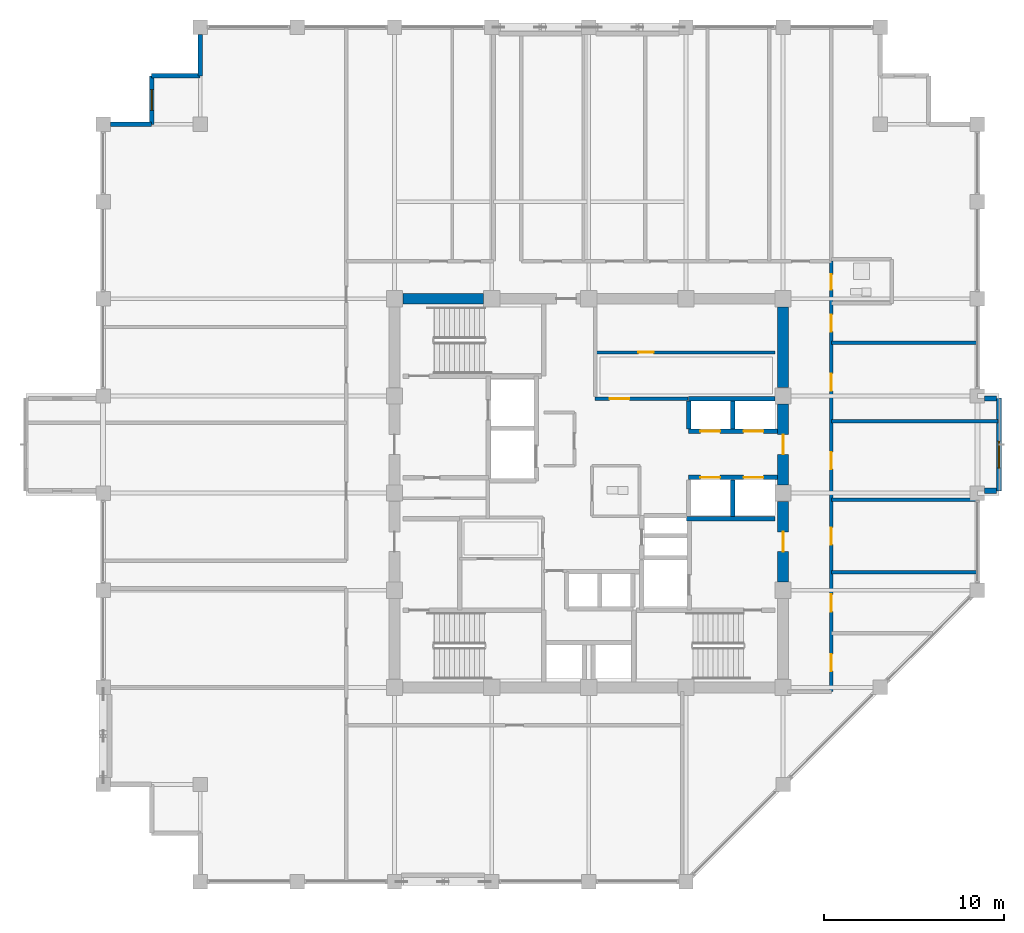
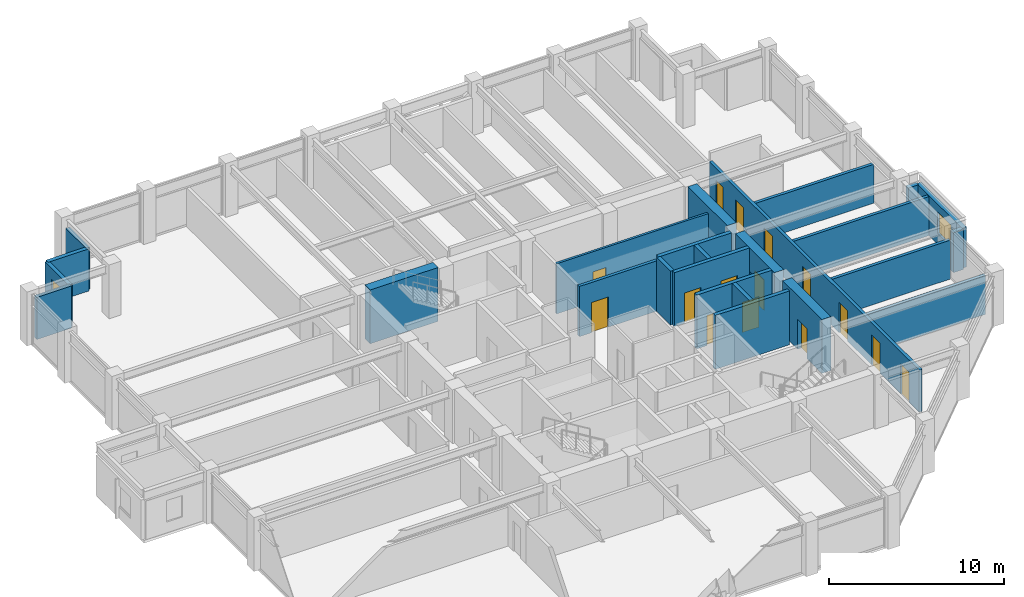
# One storey, part 24 of 28: 25 walls, 15 doors, 2 windows, 17 openings.
"""IFC4 building model written with IfcOpenShell, lengths in metres."""

from ifc_helpers import new_model, si_unit, direction, frame, frame_2d, origin, place, context, subcontext, project, spatial, rectangle, extrude, material, layer, layer_set, type_object, element, fill, save


model = new_model("IFC4")

# Units and contexts
model_context = context("Model", 3, precision=1e-05, world=origin(), true_north=direction((0.0, 1.0)))
body_context = subcontext(model_context, "Body", "Model", "MODEL_VIEW")
ifc_project = project(units=[si_unit("LENGTHUNIT", "METRE"), si_unit("AREAUNIT", "SQUARE_METRE"), si_unit("VOLUMEUNIT", "CUBIC_METRE"), si_unit("PLANEANGLEUNIT", "RADIAN"), si_unit("MASSUNIT", "GRAM", prefix="KILO")], contexts=[model_context])

# Site, building, storey
site_placement = place(None, origin())
site = spatial("IfcSite", under=ifc_project, at=site_placement, CompositionType="ELEMENT")
building_placement = place(site_placement, origin())
building = spatial("IfcBuilding", under=site, at=building_placement, Name="Surkhivell Harbour Commons", CompositionType="ELEMENT")
storey_placement = place(building_placement, frame((0.0, 0.0, 246.0)))
storey = spatial("IfcBuildingStorey", under=building, at=storey_placement, Name="L64", CompositionType="ELEMENT", Elevation=246.0)

# Wall
ifc_material_1 = material(Name="Concrete C60/75", Category="concrete")
ifc_layer_1 = layer(ifc_material_1, 0.60009765625)
ifc_layer_set_1 = layer_set([ifc_layer_1], Name="Concrete C60/75")
wall_type_1 = type_object("IfcWallType", Name="WAL-CORE-600", PredefinedType="SHEAR", material=ifc_layer_set_1)
wall_1_placement = place(storey_placement, frame((-10.340087890625, 10.800048828125, 0.0), z_axis=(0.0, 0.0, 1.0), x_axis=(1.0, 0.0, 0.0)))
element("IfcWall", 1, at=wall_1_placement, inside=storey, type_object=wall_type_1, Name="L64 Core Shear Wall North 1", PredefinedType="SHEAR", context=body_context, shape_type="SweptSolid", body=[
    extrude(rectangle(XDim=4.47998046875, YDim=0.60009765625, at=frame_2d((2.239990234375, 0.0))), origin(), (0.0, 0.0, 1.0), 3.75),
])

# Wall, opening, door
wall_2_placement = place(storey_placement, frame((10.800048828125, -4.93994140625, 0.0), z_axis=(0.0, 0.0, 1.0), x_axis=(0.0, 1.0, 0.0)))
wall_2 = element("IfcWall", 2, at=wall_2_placement, inside=storey, type_object=wall_type_1, Name="L64 Core Shear Wall East 2", PredefinedType="SHEAR", context=body_context, shape_type="SweptSolid", body=[
    extrude(rectangle(XDim=4.47998046875, YDim=0.60009765625, at=frame_2d((2.239990234375, 0.0))), origin(), (0.0, 0.0, 1.0), 3.75),
])
opening_1_placement = place(wall_2_placement, frame((1.68994140625, 0.0, 0.0)))
opening_1 = element("IfcOpeningElement", 3, at=opening_1_placement, cuts=wall_2, Name="Opening ID-1", PredefinedType="OPENING", context=body_context, shape_type="SweptSolid", body=[
    extrude(rectangle(XDim=1.10009765625, YDim=2.10009765625, at=frame_2d((0.550048828125, 1.050048828125))), frame((0.0, 0.31005859375, 0.0), z_axis=(0.0, -1.0, 0.0), x_axis=(1.0, 0.0, 0.0)), (0.0, 0.0, 1.0), 0.6201171875),
])
ifc_material_2 = material(Name="Hardwood-veneered fire-rated door leaf", Category="wood")
door_type_1 = type_object("IfcDoorType", Name="DOR-FD120-1100", OperationType="NOTDEFINED", PredefinedType="DOOR", material=ifc_material_2)
door_1_placement = place(opening_1_placement, origin())
door_1 = element("IfcDoor", 4, at=door_1_placement, inside=storey, type_object=door_type_1, Name="L64 Firefighting Lobby 2 Corridor Door", OperationType="SINGLE_SWING_RIGHT", OverallHeight=2.10009765625, OverallWidth=1.10009765625, PredefinedType="DOOR", context=body_context, shape_type="SweptSolid", body=[
    extrude(rectangle(XDim=1.10009765625, YDim=2.10009765625, at=frame_2d((0.550048828125, 1.050048828125))), frame((0.0, 0.02490234375, 0.0), z_axis=(0.0, -1.0, 0.0), x_axis=(1.0, 0.0, 0.0)), (0.0, 0.0, 1.0), 0.050048828125),
])
fill(opening_1, door_1)

wall_3_placement = place(storey_placement, frame((10.800048828125, 0.4599609375, 0.0), z_axis=(0.0, 0.0, 1.0), x_axis=(0.0, 1.0, 0.0)))
wall_3 = element("IfcWall", 5, at=wall_3_placement, inside=storey, type_object=wall_type_1, Name="L64 Core Shear Wall East 3", PredefinedType="SHEAR", context=body_context, shape_type="SweptSolid", body=[
    extrude(rectangle(XDim=4.47998046875, YDim=0.60009765625, at=frame_2d((2.239990234375, 0.0))), origin(), (0.0, 0.0, 1.0), 3.75),
])
opening_2_placement = place(wall_3_placement, frame((1.68994140625, 0.0, 0.0)))
opening_2 = element("IfcOpeningElement", 6, at=opening_2_placement, cuts=wall_3, Name="Opening ID-2", PredefinedType="OPENING", context=body_context, shape_type="SweptSolid", body=[
    extrude(rectangle(XDim=1.10009765625, YDim=2.10009765625, at=frame_2d((0.550048828125, 1.050048828125))), frame((0.0, 0.31005859375, 0.0), z_axis=(0.0, -1.0, 0.0), x_axis=(1.0, 0.0, 0.0)), (0.0, 0.0, 1.0), 0.6201171875),
])
door_type_2 = type_object("IfcDoorType", Name="DOR-FD60-1100", OperationType="NOTDEFINED", PredefinedType="DOOR", material=ifc_material_2)
door_2_placement = place(opening_2_placement, origin())
door_2 = element("IfcDoor", 7, at=door_2_placement, inside=storey, type_object=door_type_2, Name="L64 Mid-Rise Lobby East Door", OperationType="SINGLE_SWING_LEFT", OverallHeight=2.10009765625, OverallWidth=1.10009765625, PredefinedType="DOOR", context=body_context, shape_type="SweptSolid", body=[
    extrude(rectangle(XDim=1.10009765625, YDim=2.10009765625, at=frame_2d((0.550048828125, 1.050048828125))), frame((0.0, 0.02490234375, 0.0), z_axis=(0.0, -1.0, 0.0), x_axis=(1.0, 0.0, 0.0)), (0.0, 0.0, 1.0), 0.050048828125),
])
fill(opening_2, door_2)

# Wall
wall_4_placement = place(storey_placement, frame((10.800048828125, 5.860107421875, 0.0), z_axis=(0.0, 0.0, 1.0), x_axis=(0.0, 1.0, 0.0)))
element("IfcWall", 8, at=wall_4_placement, inside=storey, type_object=wall_type_1, Name="L64 Core Shear Wall East 4", PredefinedType="SHEAR", context=body_context, shape_type="SweptSolid", body=[
    extrude(rectangle(XDim=4.47998046875, YDim=0.60009765625, at=frame_2d((2.239990234375, 0.0))), origin(), (0.0, 0.0, 1.0), 3.75),
])

# Wall, opening, window
ifc_material_3 = material(Name="Flemish-bond kiln brick and precast concrete C45/55", Category="masonry")
ifc_layer_2 = layer(ifc_material_3, 0.300048828125)
ifc_layer_set_2 = layer_set([ifc_layer_2], Name="Flemish-bond kiln brick and precast concrete C45/55")
wall_type_2 = type_object("IfcWallType", Name="WAL-EXT-BRK300", PredefinedType="STANDARD", material=ifc_layer_set_2)
wall_5_placement = place(storey_placement, frame((22.800048828125, 0.1201171875, 0.0), z_axis=(0.0, 0.0, 1.0), x_axis=(0.0, 1.0, 0.0)))
wall_5 = element("IfcWall", 9, at=wall_5_placement, inside=storey, type_object=wall_type_2, Name="L64 Coloured Box Front Wall 01", PredefinedType="STANDARD", context=body_context, shape_type="SweptSolid", body=[
    extrude(rectangle(XDim=5.159912109375, YDim=0.300048828125, at=frame_2d((2.580078125, 0.0))), origin(), (0.0, 0.0, 1.0), 2.787109375),
])
opening_3_placement = place(wall_5_placement, frame((1.27490234375, 0.0, 0.75)))
opening_3 = element("IfcOpeningElement", 10, at=opening_3_placement, cuts=wall_5, Name="Opening WN-13", PredefinedType="OPENING", context=body_context, shape_type="SweptSolid", body=[
    extrude(rectangle(XDim=1.5, YDim=1.5, at=frame_2d((0.75, 0.75))), frame((0.0, 0.159912109375, 0.0), z_axis=(0.0, -1.0, 0.0), x_axis=(1.0, 0.0, 0.0)), (0.0, 0.0, 1.0), 0.320068359375),
])
ifc_material_4 = material(Name="Thermal-break aluminium frame and double low-E glazing", Category="aluminium")
window_type_1 = type_object("IfcWindowType", Name="WIN-BOX-1500x1500", PartitioningType="SINGLE_PANEL", PredefinedType="WINDOW", material=ifc_material_4)
window_1_placement = place(opening_3_placement, origin())
window_1 = element("IfcWindow", 11, at=window_1_placement, inside=storey, type_object=window_type_1, Name="L64 Coloured Box Square Window 01-1", OverallHeight=1.5, OverallWidth=1.5, PartitioningType="SINGLE_PANEL", PredefinedType="WINDOW", context=body_context, shape_type="SweptSolid", body=[
    extrude(rectangle(XDim=1.5, YDim=1.5, at=frame_2d((0.75, 0.75))), frame((0.0, 0.030029296875, 0.0), z_axis=(0.0, -1.0, 0.0), x_axis=(1.0, 0.0, 0.0)), (0.0, 0.0, 1.0), 0.06005859375),
])
fill(opening_3, window_1)

# Walls
for number, where, z_axis, x_axis, name in (
    (12, (22.00390625, 0.139892578125, 0.0), (0.0, 0.0, 1.0), (1.0, 0.0, 0.0), "L64 Coloured Box Return Wall 01S"),
    (13, (22.00390625, 5.260009765625, 0.0), (0.0, 0.0, 1.0), (1.0, 0.0, 0.0), "L64 Coloured Box Return Wall 01N"),
):
    element("IfcWall", number, at=place(storey_placement, frame(where, z_axis=z_axis, x_axis=x_axis)), inside=storey, type_object=wall_type_2, Name=name, PredefinedType="STANDARD", context=body_context, shape_type="SweptSolid", body=[
        extrude(rectangle(XDim=0.656005859375, YDim=0.300048828125, at=frame_2d((0.328125, 0.0))), origin(), (0.0, 0.0, 1.0), 2.787109375),
    ])
ifc_material_5 = material(Name="Pale-metal insulated precast concrete C45/55", Category="concrete")
ifc_layer_3 = layer(ifc_material_5, 0.260009765625)
ifc_layer_set_3 = layer_set([ifc_layer_3], Name="Pale-metal insulated precast concrete C45/55")
wall_type_3 = type_object("IfcWallType", Name="WAL-EXT-MTL260", PredefinedType="STANDARD", material=ifc_layer_set_3)
wall_6_placement = place(storey_placement, frame((-21.60009765625, 25.501953125, 0.0), z_axis=(0.0, 0.0, 1.0), x_axis=(0.0, -1.0, 0.0)))
element("IfcWall", 14, at=wall_6_placement, inside=storey, type_object=wall_type_3, Name="L64 Serrated Corner Facade Wall 08", PredefinedType="STANDARD", context=body_context, shape_type="SweptSolid", body=[
    extrude(rectangle(XDim=2.302001953125, YDim=0.260009765625, at=frame_2d((1.15087890625, 0.0))), origin(), (0.0, 0.0, 1.0), 2.93603515625),
])
wall_7_placement = place(storey_placement, frame((-21.60009765625, 23.199951171875, 0.0), z_axis=(0.0, 0.0, 1.0), x_axis=(-1.0, 0.0, 0.0)))
element("IfcWall", 15, at=wall_7_placement, inside=storey, type_object=wall_type_3, Name="L64 Serrated Corner Facade Wall 09", PredefinedType="STANDARD", context=body_context, shape_type="SweptSolid", body=[
    extrude(rectangle(XDim=2.699951171875, YDim=0.260009765625, at=frame_2d((1.35009765625, 0.0))), origin(), (0.0, 0.0, 1.0), 2.93603515625),
])

# Wall, opening, window
wall_8_placement = place(storey_placement, frame((-24.300048828125, 23.199951171875, 0.0), z_axis=(0.0, 0.0, 1.0), x_axis=(0.0, -1.0, 0.0)))
wall_8 = element("IfcWall", 16, at=wall_8_placement, inside=storey, type_object=wall_type_3, Name="L64 Serrated Corner Facade Wall 10", PredefinedType="STANDARD", context=body_context, shape_type="SweptSolid", body=[
    extrude(rectangle(XDim=2.699951171875, YDim=0.260009765625, at=frame_2d((1.35009765625, 0.0))), origin(), (0.0, 0.0, 1.0), 2.93603515625),
])
opening_4_placement = place(wall_8_placement, frame((0.77490234375, 0.0, 0.64990234375)))
opening_4 = element("IfcOpeningElement", 17, at=opening_4_placement, cuts=wall_8, Name="Opening WN-10", PredefinedType="OPENING", context=body_context, shape_type="SweptSolid", body=[
    extrude(rectangle(XDim=1.14990234375, YDim=1.550048828125, at=frame_2d((0.574951171875, 0.77490234375))), frame((0.0, 0.139892578125, 0.0), z_axis=(0.0, -1.0, 0.0), x_axis=(1.0, 0.0, 0.0)), (0.0, 0.0, 1.0), 0.280029296875),
])
window_type_2 = type_object("IfcWindowType", Name="WIN-SER-1150x1550", PartitioningType="SINGLE_PANEL", PredefinedType="WINDOW", material=ifc_material_4)
window_2_placement = place(opening_4_placement, origin())
window_2 = element("IfcWindow", 18, at=window_2_placement, inside=storey, type_object=window_type_2, Name="L64 Serrated Alcove Window 10", OverallHeight=1.550048828125, OverallWidth=1.14990234375, PartitioningType="SINGLE_PANEL", PredefinedType="WINDOW", context=body_context, shape_type="SweptSolid", body=[
    extrude(rectangle(XDim=1.14990234375, YDim=1.550048828125, at=frame_2d((0.574951171875, 0.77490234375))), frame((0.0, 0.030029296875, 0.0), z_axis=(0.0, -1.0, 0.0), x_axis=(1.0, 0.0, 0.0)), (0.0, 0.0, 1.0), 0.06005859375),
])
fill(opening_4, window_2)

# Wall
wall_9_placement = place(storey_placement, frame((-24.300048828125, 20.5, 0.0), z_axis=(0.0, 0.0, 1.0), x_axis=(-1.0, 0.0, 0.0)))
element("IfcWall", 19, at=wall_9_placement, inside=storey, type_object=wall_type_3, Name="L64 Serrated Corner Facade Wall 11", PredefinedType="STANDARD", context=body_context, shape_type="SweptSolid", body=[
    extrude(rectangle(XDim=2.302001953125, YDim=0.260009765625, at=frame_2d((1.15087890625, 0.0))), origin(), (0.0, 0.0, 1.0), 2.93603515625),
])

# Wall, opening, door
ifc_material_6 = material(Name="Twin-stud acoustic fireboard partition", Category="other")
ifc_layer_4 = layer(ifc_material_6, 0.14990234375)
ifc_layer_set_4 = layer_set([ifc_layer_4], Name="Twin-stud acoustic fireboard partition")
wall_type_4 = type_object("IfcWallType", Name="WAL-INT-150", PredefinedType="PARTITIONING", material=ifc_layer_set_4)
wall_10_placement = place(storey_placement, frame((0.35009765625, 7.820068359375, 0.0), z_axis=(0.0, 0.0, 1.0), x_axis=(1.0, 0.0, 0.0)))
wall_10 = element("IfcWall", 20, at=wall_10_placement, inside=storey, type_object=wall_type_4, Name="L64 Core Archive Partition", PredefinedType="PARTITIONING", context=body_context, shape_type="SweptSolid", body=[
    extrude(rectangle(XDim=9.989990234375, YDim=0.14990234375, at=frame_2d((4.9951171875, 0.0))), origin(), (0.0, 0.0, 1.0), 3.5),
])
opening_5_placement = place(wall_10_placement, frame((2.39990234375, 0.0, 0.0)))
opening_5 = element("IfcOpeningElement", 21, at=opening_5_placement, cuts=wall_10, Name="Opening ID-6", PredefinedType="OPENING", context=body_context, shape_type="SweptSolid", body=[
    extrude(rectangle(XDim=0.85009765625, YDim=2.10009765625, at=frame_2d((0.425048828125, 1.050048828125))), frame((0.0, 0.0849609375, 0.0), z_axis=(0.0, -1.0, 0.0), x_axis=(1.0, 0.0, 0.0)), (0.0, 0.0, 1.0), 0.169921875),
])
door_type_3 = type_object("IfcDoorType", Name="DOR-FD30-850", OperationType="NOTDEFINED", PredefinedType="DOOR", material=ifc_material_2)
door_3_placement = place(opening_5_placement, origin())
door_3 = element("IfcDoor", 22, at=door_3_placement, inside=storey, type_object=door_type_3, Name="L64 Archive Room Door", OperationType="SINGLE_SWING_LEFT", OverallHeight=2.10009765625, OverallWidth=0.85009765625, PredefinedType="DOOR", context=body_context, shape_type="SweptSolid", body=[
    extrude(rectangle(XDim=0.85009765625, YDim=2.10009765625, at=frame_2d((0.425048828125, 1.050048828125))), frame((0.0, 0.02490234375, 0.0), z_axis=(0.0, -1.0, 0.0), x_axis=(1.0, 0.0, 0.0)), (0.0, 0.0, 1.0), 0.050048828125),
])
fill(opening_5, door_3)

ifc_material_7 = material(Name="Autoclaved aerated concrete blockwork and fire plaster", Category="masonry")
ifc_layer_5 = layer(ifc_material_7, 0.199951171875)
ifc_layer_set_5 = layer_set([ifc_layer_5], Name="Autoclaved aerated concrete blockwork and fire plaster")
wall_type_5 = type_object("IfcWallType", Name="WAL-INT-200", PredefinedType="PARTITIONING", material=ifc_layer_set_5)
wall_11_placement = place(storey_placement, frame((0.35009765625, 5.239990234375, 0.0), z_axis=(0.0, 0.0, 1.0), x_axis=(1.0, 0.0, 0.0)))
wall_11 = element("IfcWall", 23, at=wall_11_placement, inside=storey, type_object=wall_type_5, Name="L64 Reclaimed Core North Bay South Wall", PredefinedType="PARTITIONING", context=body_context, shape_type="SweptSolid", body=[
    extrude(rectangle(XDim=5.14990234375, YDim=0.199951171875, at=frame_2d((2.574951171875, 0.0))), origin(), (0.0, 0.0, 1.0), 3.5),
])
opening_6_placement = place(wall_11_placement, frame((0.800048828125, 0.0, 0.0)))
opening_6 = element("IfcOpeningElement", 24, at=opening_6_placement, cuts=wall_11, Name="Opening ID-2", PredefinedType="OPENING", context=body_context, shape_type="SweptSolid", body=[
    extrude(rectangle(XDim=1.10009765625, YDim=2.10009765625, at=frame_2d((0.550048828125, 1.050048828125))), frame((0.0, 0.10986328125, 0.0), z_axis=(0.0, -1.0, 0.0), x_axis=(1.0, 0.0, 0.0)), (0.0, 0.0, 1.0), 0.219970703125),
])
door_4_placement = place(opening_6_placement, origin())
door_4 = element("IfcDoor", 25, at=door_4_placement, inside=storey, type_object=door_type_2, Name="L64 Study Alcove Door", OperationType="SINGLE_SWING_RIGHT", OverallHeight=2.10009765625, OverallWidth=1.10009765625, PredefinedType="DOOR", context=body_context, shape_type="SweptSolid", body=[
    extrude(rectangle(XDim=1.10009765625, YDim=2.10009765625, at=frame_2d((0.550048828125, 1.050048828125))), frame((0.0, 0.02490234375, 0.0), z_axis=(0.0, -1.0, 0.0), x_axis=(1.0, 0.0, 0.0)), (0.0, 0.0, 1.0), 0.050048828125),
])
fill(opening_6, door_4)

# Wall, openings, doors
wall_12_placement = place(storey_placement, frame((13.47998046875, -11.0400390625, 0.0), z_axis=(0.0, 0.0, 1.0), x_axis=(0.0, 1.0, 0.0)))
wall_12 = element("IfcWall", 26, at=wall_12_placement, inside=storey, type_object=wall_type_5, Name="L64 Corridor East Wall", PredefinedType="PARTITIONING", context=body_context, shape_type="SweptSolid", body=[
    extrude(rectangle(XDim=23.93994140625, YDim=0.199951171875, at=frame_2d((11.969970703125, 0.0))), origin(), (0.0, 0.0, 1.0), 2.93603515625),
])
opening_7_placement = place(wall_12_placement, frame((1.139892578125, 0.0, 0.0)))
opening_7 = element("IfcOpeningElement", 27, at=opening_7_placement, cuts=wall_12, Name="Opening ID-4", PredefinedType="OPENING", context=body_context, shape_type="SweptSolid", body=[
    extrude(rectangle(XDim=0.949951171875, YDim=2.10009765625, at=frame_2d((0.47509765625, 1.050048828125))), frame((0.0, 0.10986328125, 0.0), z_axis=(0.0, -1.0, 0.0), x_axis=(1.0, 0.0, 0.0)), (0.0, 0.0, 1.0), 0.219970703125),
])
opening_8_placement = place(wall_12_placement, frame((22.344970703125, 0.0, 0.0)))
opening_8 = element("IfcOpeningElement", 28, at=opening_8_placement, cuts=wall_12, Name="Opening ID-6", PredefinedType="OPENING", context=body_context, shape_type="SweptSolid", body=[
    extrude(rectangle(XDim=0.85009765625, YDim=2.10009765625, at=frame_2d((0.425048828125, 1.050048828125))), frame((0.0, 0.10986328125, 0.0), z_axis=(0.0, -1.0, 0.0), x_axis=(1.0, 0.0, 0.0)), (0.0, 0.0, 1.0), 0.219970703125),
])
opening_9_placement = place(wall_12_placement, frame((20.010009765625, 0.0, 0.0)))
opening_9 = element("IfcOpeningElement", 29, at=opening_9_placement, cuts=wall_12, Name="Opening ID-4", PredefinedType="OPENING", context=body_context, shape_type="SweptSolid", body=[
    extrude(rectangle(XDim=0.949951171875, YDim=2.10009765625, at=frame_2d((0.47509765625, 1.050048828125))), frame((0.0, 0.10986328125, 0.0), z_axis=(0.0, -1.0, 0.0), x_axis=(1.0, 0.0, 0.0)), (0.0, 0.0, 1.0), 0.219970703125),
])
opening_10_placement = place(wall_12_placement, frame((4.455078125, 0.0, 0.0)))
opening_10 = element("IfcOpeningElement", 30, at=opening_10_placement, cuts=wall_12, Name="Opening ID-4", PredefinedType="OPENING", context=body_context, shape_type="SweptSolid", body=[
    extrude(rectangle(XDim=0.949951171875, YDim=2.10009765625, at=frame_2d((0.47509765625, 1.050048828125))), frame((0.0, 0.10986328125, 0.0), z_axis=(0.0, -1.0, 0.0), x_axis=(1.0, 0.0, 0.0)), (0.0, 0.0, 1.0), 0.219970703125),
])
opening_11_placement = place(wall_12_placement, frame((8.169921875, 0.0, 0.0)))
opening_11 = element("IfcOpeningElement", 31, at=opening_11_placement, cuts=wall_12, Name="Opening ID-4", PredefinedType="OPENING", context=body_context, shape_type="SweptSolid", body=[
    extrude(rectangle(XDim=0.949951171875, YDim=2.10009765625, at=frame_2d((0.47509765625, 1.050048828125))), frame((0.0, 0.10986328125, 0.0), z_axis=(0.0, -1.0, 0.0), x_axis=(1.0, 0.0, 0.0)), (0.0, 0.0, 1.0), 0.219970703125),
])
opening_12_placement = place(wall_12_placement, frame((12.3701171875, 0.0, 0.0)))
opening_12 = element("IfcOpeningElement", 32, at=opening_12_placement, cuts=wall_12, Name="Opening ID-4", PredefinedType="OPENING", context=body_context, shape_type="SweptSolid", body=[
    extrude(rectangle(XDim=0.949951171875, YDim=2.10009765625, at=frame_2d((0.47509765625, 1.050048828125))), frame((0.0, 0.10986328125, 0.0), z_axis=(0.0, -1.0, 0.0), x_axis=(1.0, 0.0, 0.0)), (0.0, 0.0, 1.0), 0.219970703125),
])
opening_13_placement = place(wall_12_placement, frame((16.72998046875, 0.0, 0.0)))
opening_13 = element("IfcOpeningElement", 33, at=opening_13_placement, cuts=wall_12, Name="Opening ID-4", PredefinedType="OPENING", context=body_context, shape_type="SweptSolid", body=[
    extrude(rectangle(XDim=0.949951171875, YDim=2.10009765625, at=frame_2d((0.47509765625, 1.050048828125))), frame((0.0, 0.10986328125, 0.0), z_axis=(0.0, -1.0, 0.0), x_axis=(1.0, 0.0, 0.0)), (0.0, 0.0, 1.0), 0.219970703125),
])
door_5_placement = place(opening_8_placement, origin())
door_5 = element("IfcDoor", 34, at=door_5_placement, inside=storey, type_object=door_type_3, Name="L64 Communal Shower Bathroom East Door", OperationType="SINGLE_SWING_LEFT", OverallHeight=2.10009765625, OverallWidth=0.85009765625, PredefinedType="DOOR", context=body_context, shape_type="SweptSolid", body=[
    extrude(rectangle(XDim=0.85009765625, YDim=2.10009765625, at=frame_2d((0.425048828125, 1.050048828125))), frame((0.0, 0.02490234375, 0.0), z_axis=(0.0, -1.0, 0.0), x_axis=(1.0, 0.0, 0.0)), (0.0, 0.0, 1.0), 0.050048828125),
])
fill(opening_8, door_5)
door_type_4 = type_object("IfcDoorType", Name="DOR-FD60-950", OperationType="NOTDEFINED", PredefinedType="DOOR", material=ifc_material_2)
door_6_placement = place(opening_7_placement, origin())
door_6 = element("IfcDoor", 35, at=door_6_placement, inside=storey, type_object=door_type_4, Name="L64 Shared Communal Kitchen East Door", OperationType="SINGLE_SWING_RIGHT", OverallHeight=2.10009765625, OverallWidth=0.949951171875, PredefinedType="DOOR", context=body_context, shape_type="SweptSolid", body=[
    extrude(rectangle(XDim=0.949951171875, YDim=2.10009765625, at=frame_2d((0.47509765625, 1.050048828125))), frame((0.0, 0.02490234375, 0.0), z_axis=(0.0, -1.0, 0.0), x_axis=(1.0, 0.0, 0.0)), (0.0, 0.0, 1.0), 0.050048828125),
])
fill(opening_7, door_6)
door_7_placement = place(opening_9_placement, origin())
door_7 = element("IfcDoor", 36, at=door_7_placement, inside=storey, type_object=door_type_4, Name="L64 Academic Reading Commons East Door", OperationType="SINGLE_SWING_RIGHT", OverallHeight=2.10009765625, OverallWidth=0.949951171875, PredefinedType="DOOR", context=body_context, shape_type="SweptSolid", body=[
    extrude(rectangle(XDim=0.949951171875, YDim=2.10009765625, at=frame_2d((0.47509765625, 1.050048828125))), frame((0.0, 0.02490234375, 0.0), z_axis=(0.0, -1.0, 0.0), x_axis=(1.0, 0.0, 0.0)), (0.0, 0.0, 1.0), 0.050048828125),
])
fill(opening_9, door_7)
door_8_placement = place(opening_10_placement, origin())
door_8 = element("IfcDoor", 37, at=door_8_placement, inside=storey, type_object=door_type_4, Name="L64 Hostel Cluster Bedroom 1 East Door", OperationType="SINGLE_SWING_LEFT", OverallHeight=2.10009765625, OverallWidth=0.949951171875, PredefinedType="DOOR", context=body_context, shape_type="SweptSolid", body=[
    extrude(rectangle(XDim=0.949951171875, YDim=2.10009765625, at=frame_2d((0.47509765625, 1.050048828125))), frame((0.0, 0.02490234375, 0.0), z_axis=(0.0, -1.0, 0.0), x_axis=(1.0, 0.0, 0.0)), (0.0, 0.0, 1.0), 0.050048828125),
])
fill(opening_10, door_8)
door_9_placement = place(opening_11_placement, origin())
door_9 = element("IfcDoor", 38, at=door_9_placement, inside=storey, type_object=door_type_4, Name="L64 Co-Living Dormitory Bedroom 2 East Door", OperationType="SINGLE_SWING_RIGHT", OverallHeight=2.10009765625, OverallWidth=0.949951171875, PredefinedType="DOOR", context=body_context, shape_type="SweptSolid", body=[
    extrude(rectangle(XDim=0.949951171875, YDim=2.10009765625, at=frame_2d((0.47509765625, 1.050048828125))), frame((0.0, 0.02490234375, 0.0), z_axis=(0.0, -1.0, 0.0), x_axis=(1.0, 0.0, 0.0)), (0.0, 0.0, 1.0), 0.050048828125),
])
fill(opening_11, door_9)
door_10_placement = place(opening_12_placement, origin())
door_10 = element("IfcDoor", 39, at=door_10_placement, inside=storey, type_object=door_type_4, Name="L64 Hostel Cluster Bedroom 3 East Door", OperationType="SINGLE_SWING_LEFT", OverallHeight=2.10009765625, OverallWidth=0.949951171875, PredefinedType="DOOR", context=body_context, shape_type="SweptSolid", body=[
    extrude(rectangle(XDim=0.949951171875, YDim=2.10009765625, at=frame_2d((0.47509765625, 1.050048828125))), frame((0.0, 0.02490234375, 0.0), z_axis=(0.0, -1.0, 0.0), x_axis=(1.0, 0.0, 0.0)), (0.0, 0.0, 1.0), 0.050048828125),
])
fill(opening_12, door_10)
door_11_placement = place(opening_13_placement, origin())
door_11 = element("IfcDoor", 40, at=door_11_placement, inside=storey, type_object=door_type_4, Name="L64 Co-Living Dormitory Bedroom 4 East Door", OperationType="SINGLE_SWING_RIGHT", OverallHeight=2.10009765625, OverallWidth=0.949951171875, PredefinedType="DOOR", context=body_context, shape_type="SweptSolid", body=[
    extrude(rectangle(XDim=0.949951171875, YDim=2.10009765625, at=frame_2d((0.47509765625, 1.050048828125))), frame((0.0, 0.02490234375, 0.0), z_axis=(0.0, -1.0, 0.0), x_axis=(1.0, 0.0, 0.0)), (0.0, 0.0, 1.0), 0.050048828125),
])
fill(opening_13, door_11)

# Walls
for number, where, z_axis, x_axis, name in (
    (41, (13.47998046875, -4.409912109375, 0.0), (0.0, 0.0, 1.0), (1.0, 0.0, 0.0), "L64 East Partition BDP1"),
    (42, (13.47998046875, -0.3701171875, 0.0), (0.0, 0.0, 1.0), (1.0, 0.0, 0.0), "L64 East Partition BDP2"),
):
    element("IfcWall", number, at=place(storey_placement, frame(where, z_axis=z_axis, x_axis=x_axis)), inside=storey, type_object=wall_type_5, Name=name, PredefinedType="PARTITIONING", context=body_context, shape_type="SweptSolid", body=[
        extrude(rectangle(XDim=8.06005859375, YDim=0.199951171875, at=frame_2d((4.030029296875, 0.0))), origin(), (0.0, 0.0, 1.0), 2.7099609375),
    ])
wall_13_placement = place(storey_placement, frame((13.47998046875, 3.989990234375, 0.0), z_axis=(0.0, 0.0, 1.0), x_axis=(1.0, 0.0, 0.0)))
element("IfcWall", 43, at=wall_13_placement, inside=storey, type_object=wall_type_5, Name="L64 East Partition BDP3", PredefinedType="PARTITIONING", context=body_context, shape_type="SweptSolid", body=[
    extrude(rectangle(XDim=9.260009765625, YDim=0.199951171875, at=frame_2d((4.6298828125, 0.0))), origin(), (0.0, 0.0, 1.0), 2.7099609375),
])
wall_14_placement = place(storey_placement, frame((13.47998046875, 8.35009765625, 0.0), z_axis=(0.0, 0.0, 1.0), x_axis=(1.0, 0.0, 0.0)))
element("IfcWall", 44, at=wall_14_placement, inside=storey, type_object=wall_type_5, Name="L64 East Partition PTOP", PredefinedType="PARTITIONING", context=body_context, shape_type="SweptSolid", body=[
    extrude(rectangle(XDim=8.06005859375, YDim=0.199951171875, at=frame_2d((4.030029296875, 0.0))), origin(), (0.0, 0.0, 1.0), 2.7099609375),
])
ifc_material_8 = material(Name="Concrete C50/60", Category="concrete")
ifc_layer_6 = layer(ifc_material_8, 0.25)
ifc_layer_set_6 = layer_set([ifc_layer_6], Name="Concrete C50/60")
wall_type_6 = type_object("IfcWallType", Name="WAL-SHAFT-250", PredefinedType="SHEAR", material=ifc_layer_set_6)
wall_15_placement = place(storey_placement, frame((5.43994140625, -1.419921875, 0.0), z_axis=(0.0, 0.0, 1.0), x_axis=(1.0, 0.0, 0.0)))
element("IfcWall", 45, at=wall_15_placement, inside=storey, type_object=wall_type_6, Name="L64 Firefighting Lobby 2 North Wall", PredefinedType="SHEAR", context=body_context, shape_type="SweptSolid", body=[
    extrude(rectangle(XDim=4.900146484375, YDim=0.25, at=frame_2d((2.4501953125, 0.0))), origin(), (0.0, 0.0, 1.0), 3.75),
])
for number, where, z_axis, x_axis, name in (
    (46, (5.550048828125, 3.550048828125, 0.0), (0.0, 0.0, 1.0), (0.0, 1.0, 0.0), "L64 Mid-Rise Shaft Side Wall N"),
    (47, (8.0, 3.550048828125, 0.0), (0.0, 0.0, 1.0), (0.0, 1.0, 0.0), "L64 Mid-Rise Shaft Side Wall N"),
):
    element("IfcWall", number, at=place(storey_placement, frame(where, z_axis=z_axis, x_axis=x_axis)), inside=storey, type_object=wall_type_6, Name=name, PredefinedType="SHEAR", context=body_context, shape_type="SweptSolid", body=[
        extrude(rectangle(XDim=1.570068359375, YDim=0.25, at=frame_2d((0.78515625, 0.0))), origin(), (0.0, 0.0, 1.0), 3.75),
    ])
wall_16_placement = place(storey_placement, frame((8.0, -1.300048828125, 0.0), z_axis=(0.0, 0.0, 1.0), x_axis=(0.0, 1.0, 0.0)))
element("IfcWall", 48, at=wall_16_placement, inside=storey, type_object=wall_type_6, Name="L64 Mid-Rise Shaft Side Wall S", PredefinedType="SHEAR", context=body_context, shape_type="SweptSolid", body=[
    extrude(rectangle(XDim=2.0400390625, YDim=0.25, at=frame_2d((1.02001953125, 0.0))), origin(), (0.0, 0.0, 1.0), 3.75),
])

# Wall, openings, doors
wall_17_placement = place(storey_placement, frame((5.550048828125, 3.429931640625, 0.0), z_axis=(0.0, 0.0, 1.0), x_axis=(1.0, 0.0, 0.0)))
wall_17 = element("IfcWall", 49, at=wall_17_placement, inside=storey, type_object=wall_type_6, Name="L64 Mid-Rise North Front Shaft Wall", PredefinedType="SHEAR", context=body_context, shape_type="SweptSolid", body=[
    extrude(rectangle(XDim=4.949951171875, YDim=0.25, at=frame_2d((2.47509765625, 0.0))), origin(), (0.0, 0.0, 1.0), 3.75),
])
opening_14_placement = place(wall_17_placement, frame((0.64990234375, 0.0, 0.0)))
opening_14 = element("IfcOpeningElement", 50, at=opening_14_placement, cuts=wall_17, Name="Opening LD-1", PredefinedType="OPENING", context=body_context, shape_type="SweptSolid", body=[
    extrude(rectangle(XDim=1.10009765625, YDim=2.10009765625, at=frame_2d((0.550048828125, 1.050048828125))), frame((0.0, 0.135009765625, 0.0), z_axis=(0.0, -1.0, 0.0), x_axis=(1.0, 0.0, 0.0)), (0.0, 0.0, 1.0), 0.27001953125),
])
opening_15_placement = place(wall_17_placement, frame((3.050048828125, 0.0, 0.0)))
opening_15 = element("IfcOpeningElement", 51, at=opening_15_placement, cuts=wall_17, Name="Opening LD-1", PredefinedType="OPENING", context=body_context, shape_type="SweptSolid", body=[
    extrude(rectangle(XDim=1.10009765625, YDim=2.10009765625, at=frame_2d((0.550048828125, 1.050048828125))), frame((0.0, 0.135009765625, 0.0), z_axis=(0.0, -1.0, 0.0), x_axis=(1.0, 0.0, 0.0)), (0.0, 0.0, 1.0), 0.27001953125),
])
ifc_material_9 = material(Name="Brushed stainless steel S355", Category="steel")
door_type_5 = type_object("IfcDoorType", Name="DOR-LD-1100", OperationType="SLIDING_TO_LEFT", PredefinedType="DOOR", material=ifc_material_9)
door_12_placement = place(opening_14_placement, origin())
door_12 = element("IfcDoor", 52, at=door_12_placement, inside=storey, type_object=door_type_5, Name="L64 Lift Landing Door LD-PM1", OperationType="SLIDING_TO_RIGHT", OverallHeight=2.10009765625, OverallWidth=1.10009765625, PredefinedType="DOOR", context=body_context, shape_type="SweptSolid", body=[
    extrude(rectangle(XDim=1.10009765625, YDim=2.10009765625, at=frame_2d((0.550048828125, 1.050048828125))), frame((0.0, 0.02490234375, 0.0), z_axis=(0.0, -1.0, 0.0), x_axis=(1.0, 0.0, 0.0)), (0.0, 0.0, 1.0), 0.050048828125),
])
fill(opening_14, door_12)
door_13_placement = place(opening_15_placement, origin())
door_13 = element("IfcDoor", 53, at=door_13_placement, inside=storey, type_object=door_type_5, Name="L64 Lift Landing Door LD-PM2", OperationType="SLIDING_TO_RIGHT", OverallHeight=2.10009765625, OverallWidth=1.10009765625, PredefinedType="DOOR", context=body_context, shape_type="SweptSolid", body=[
    extrude(rectangle(XDim=1.10009765625, YDim=2.10009765625, at=frame_2d((0.550048828125, 1.050048828125))), frame((0.0, 0.02490234375, 0.0), z_axis=(0.0, -1.0, 0.0), x_axis=(1.0, 0.0, 0.0)), (0.0, 0.0, 1.0), 0.050048828125),
])
fill(opening_15, door_13)

# Wall
wall_18_placement = place(storey_placement, frame((5.550048828125, 5.239990234375, 0.0), z_axis=(0.0, 0.0, 1.0), x_axis=(1.0, 0.0, 0.0)))
element("IfcWall", 54, at=wall_18_placement, inside=storey, type_object=wall_type_6, Name="L64 Mid-Rise North Back Shaft Wall", PredefinedType="SHEAR", context=body_context, shape_type="SweptSolid", body=[
    extrude(rectangle(XDim=4.800048828125, YDim=0.25, at=frame_2d((2.39990234375, 0.0))), origin(), (0.0, 0.0, 1.0), 3.75),
])

# Wall, openings, doors
wall_19_placement = place(storey_placement, frame((5.550048828125, 0.8701171875, 0.0), z_axis=(0.0, 0.0, 1.0), x_axis=(1.0, 0.0, 0.0)))
wall_19 = element("IfcWall", 55, at=wall_19_placement, inside=storey, type_object=wall_type_6, Name="L64 Mid-Rise South Front Shaft Wall", PredefinedType="SHEAR", context=body_context, shape_type="SweptSolid", body=[
    extrude(rectangle(XDim=4.949951171875, YDim=0.25, at=frame_2d((2.47509765625, 0.0))), origin(), (0.0, 0.0, 1.0), 3.75),
])
opening_16_placement = place(wall_19_placement, frame((0.64990234375, 0.0, 0.0)))
opening_16 = element("IfcOpeningElement", 56, at=opening_16_placement, cuts=wall_19, Name="Opening LD-1", PredefinedType="OPENING", context=body_context, shape_type="SweptSolid", body=[
    extrude(rectangle(XDim=1.10009765625, YDim=2.10009765625, at=frame_2d((0.550048828125, 1.050048828125))), frame((0.0, 0.135009765625, 0.0), z_axis=(0.0, -1.0, 0.0), x_axis=(1.0, 0.0, 0.0)), (0.0, 0.0, 1.0), 0.27001953125),
])
opening_17_placement = place(wall_19_placement, frame((3.050048828125, 0.0, 0.0)))
opening_17 = element("IfcOpeningElement", 57, at=opening_17_placement, cuts=wall_19, Name="Opening LD-1", PredefinedType="OPENING", context=body_context, shape_type="SweptSolid", body=[
    extrude(rectangle(XDim=1.10009765625, YDim=2.10009765625, at=frame_2d((0.550048828125, 1.050048828125))), frame((0.0, 0.135009765625, 0.0), z_axis=(0.0, -1.0, 0.0), x_axis=(1.0, 0.0, 0.0)), (0.0, 0.0, 1.0), 0.27001953125),
])
door_14_placement = place(opening_16_placement, origin())
door_14 = element("IfcDoor", 58, at=door_14_placement, inside=storey, type_object=door_type_5, Name="L64 Lift Landing Door LD-PM3", OperationType="SLIDING_TO_RIGHT", OverallHeight=2.10009765625, OverallWidth=1.10009765625, PredefinedType="DOOR", context=body_context, shape_type="SweptSolid", body=[
    extrude(rectangle(XDim=1.10009765625, YDim=2.10009765625, at=frame_2d((0.550048828125, 1.050048828125))), frame((0.0, 0.02490234375, 0.0), z_axis=(0.0, -1.0, 0.0), x_axis=(1.0, 0.0, 0.0)), (0.0, 0.0, 1.0), 0.050048828125),
])
fill(opening_16, door_14)
door_15_placement = place(opening_17_placement, origin())
door_15 = element("IfcDoor", 59, at=door_15_placement, inside=storey, type_object=door_type_5, Name="L64 Lift Landing Door LD-PM4", OperationType="SLIDING_TO_RIGHT", OverallHeight=2.10009765625, OverallWidth=1.10009765625, PredefinedType="DOOR", context=body_context, shape_type="SweptSolid", body=[
    extrude(rectangle(XDim=1.10009765625, YDim=2.10009765625, at=frame_2d((0.550048828125, 1.050048828125))), frame((0.0, 0.02490234375, 0.0), z_axis=(0.0, -1.0, 0.0), x_axis=(1.0, 0.0, 0.0)), (0.0, 0.0, 1.0), 0.050048828125),
])
fill(opening_17, door_15)

save(model, "model.ifc")
